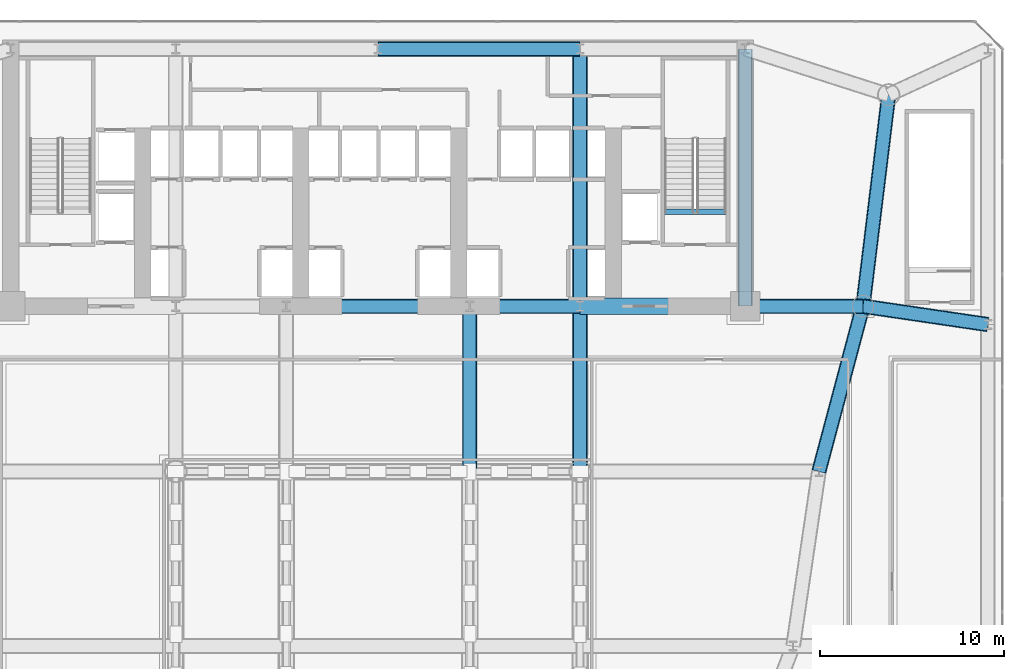
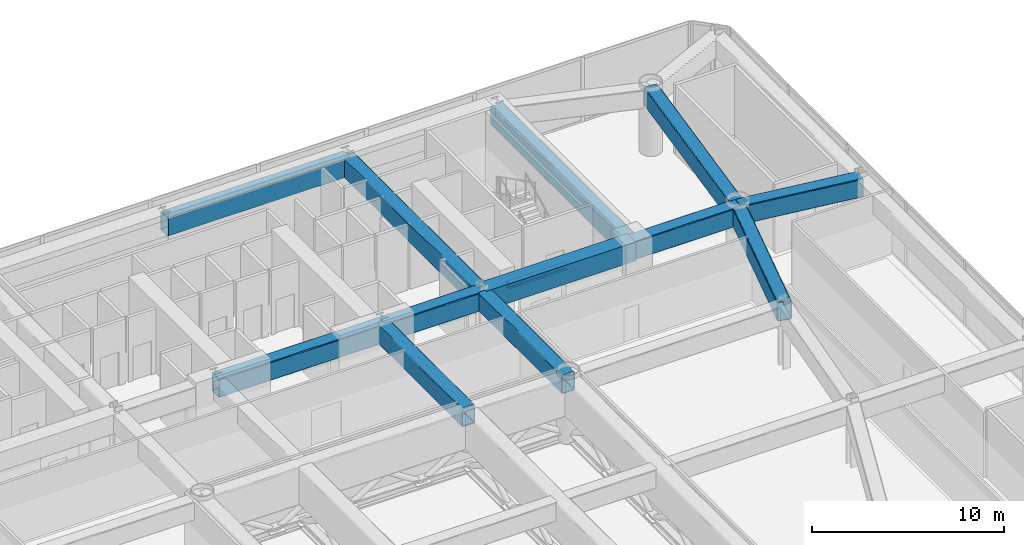
# One storey, part 8 of 21: 13 beams.
"""IFC4 building model written with IfcOpenShell, lengths in metres."""

from ifc_helpers import new_model, si_unit, direction, frame, origin, origin_2d, place, context, subcontext, project, spatial, rectangle, hollow_rectangle, i_section, extrude, source, transform, mapped, material, material_profile, profile_set, type_object, element, save


model = new_model("IFC4")

# Units and contexts
model_context = context("Model", 3, precision=1e-05, world=origin(), true_north=direction((0.0, 1.0)))
body_context = subcontext(model_context, "Body", "Model", "MODEL_VIEW")
ifc_project = project(units=[si_unit("LENGTHUNIT", "METRE"), si_unit("AREAUNIT", "SQUARE_METRE"), si_unit("VOLUMEUNIT", "CUBIC_METRE"), si_unit("PLANEANGLEUNIT", "RADIAN"), si_unit("MASSUNIT", "GRAM", prefix="KILO")], contexts=[model_context])

# Site, building, storey
site_placement = place(None, origin())
site = spatial("IfcSite", under=ifc_project, at=site_placement, CompositionType="ELEMENT")
building_placement = place(site_placement, origin())
building = spatial("IfcBuilding", under=site, at=building_placement, Name="Vaeldorn Concourse Tower", CompositionType="ELEMENT")
storey_placement = place(building_placement, frame((0.0, 0.0, 14.39990234375)))
storey = spatial("IfcBuildingStorey", under=building, at=storey_placement, Name="L03", CompositionType="ELEMENT", Elevation=14.39990234375)

# Beams
ifc_material_1 = material(Name="Concrete C60/75", Category="concrete")
ifc_material_profile_1 = material_profile(ifc_material_1, rectangle(XDim=0.89990234375, YDim=1.199951171875, at=origin_2d()), Name="RC 900x1200")
ifc_profile_set_1 = profile_set([ifc_material_profile_1], Name="Concrete C60/75")
beam_type_1 = type_object("IfcBeamType", Name="BM-CB-RC900", PredefinedType="BEAM", material=ifc_profile_set_1)
shared_shape_1 = source(origin(), body_context, "Body", "SweptSolid", [
    extrude(rectangle(XDim=0.89990234375, YDim=1.199951171875, at=origin_2d()), origin(), (0.0, 0.0, 1.0), 9.0),
])
beam_1_placement = place(storey_placement, frame((45.0, 36.5, 3.52001953125), z_axis=(1.0, 0.0, 0.0), x_axis=(0.0, 1.0, 0.0)))
element("IfcBeam", 1, at=beam_1_placement, inside=storey, type_object=beam_type_1, Name="Core Coupling Beam L03-2", PredefinedType="BEAM", context=body_context, shape_type="MappedRepresentation", body=[
    mapped(shared_shape_1, transform((0.0, 0.0, 0.0), scale=1.0)),
])
ifc_material_2 = material(Name="Steel S355", Category="steel")
ifc_material_profile_2 = material_profile(ifc_material_2, i_section(OverallWidth=0.300048828125, OverallDepth=0.340087890625, WebThickness=0.011962890625, FlangeThickness=0.021484375, FilletRadius=0.027099609375, at=origin_2d()), Name="HEB 340")
ifc_profile_set_2 = profile_set([ifc_material_profile_2], Name="Steel S355")
beam_type_2 = type_object("IfcBeamType", Name="BM-ST-TRIM", PredefinedType="BEAM", material=ifc_profile_set_2)
shared_shape_2 = source(origin(), body_context, "Body", "SweptSolid", [
    extrude(i_section(OverallWidth=0.300048828125, OverallDepth=0.340087890625, WebThickness=0.011962890625, FlangeThickness=0.021484375, FilletRadius=0.027099609375, at=origin_2d()), origin(), (0.0, 0.0, 1.0), 3.590087890625),
])
beam_2_placement = place(storey_placement, frame((49.47998046875, 41.639892578125, -0.449951171875), z_axis=(1.0, 0.0, 0.0), x_axis=(0.0, 1.0, 0.0)))
element("IfcBeam", 2, at=beam_2_placement, inside=storey, type_object=beam_type_2, Name="Stair Landing Trimmer Beam ST-2 L03", PredefinedType="BEAM", context=body_context, shape_type="MappedRepresentation", body=[
    mapped(shared_shape_2, transform((0.0, 0.0, 0.0), scale=1.0)),
])
ifc_material_3 = material(Name="Steel S460", Category="steel")
ifc_material_profile_3 = material_profile(ifc_material_3, hollow_rectangle(XDim=0.800048828125, YDim=1.199951171875, WallThickness=0.044921875, InnerFilletRadius=0.044921875, OuterFilletRadius=0.090087890625, at=origin_2d()), Name="RHS 1200x800x45")
ifc_profile_set_3 = profile_set([ifc_material_profile_3], Name="Steel S460")
beam_type_3 = type_object("IfcBeamType", Name="BM-TG-RHS1200", PredefinedType="BEAM", material=ifc_profile_set_3)
shared_shape_3 = source(origin(), body_context, "Body", "SweptSolid", [
    extrude(hollow_rectangle(XDim=0.800048828125, YDim=1.199951171875, WallThickness=0.044921875, InnerFilletRadius=0.044921875, OuterFilletRadius=0.090087890625, at=origin_2d()), origin(), (0.0, 0.0, 1.0), 6.0),
])
beam_3_placement = place(storey_placement, frame((39.0, 36.5, 3.52001953125), z_axis=(1.0, 0.0, 0.0), x_axis=(0.0, 1.0, 0.0)))
element("IfcBeam", 3, at=beam_3_placement, inside=storey, type_object=beam_type_3, Name="Beam BM-L03-C-FC4-C-FC5", PredefinedType="BEAM", context=body_context, shape_type="MappedRepresentation", body=[
    mapped(shared_shape_3, transform((0.0, 0.0, 0.0), scale=1.0)),
])
shared_shape_4 = source(origin(), body_context, "Body", "SweptSolid", [
    extrude(hollow_rectangle(XDim=0.800048828125, YDim=1.199951171875, WallThickness=0.044921875, InnerFilletRadius=0.044921875, OuterFilletRadius=0.090087890625, at=origin_2d()), origin(), (0.0, 0.0, 1.0), 10.0),
])
beam_4_placement = place(storey_placement, frame((29.0, 36.5, 3.52001953125), z_axis=(1.0, 0.0, 0.0), x_axis=(0.0, 1.0, 0.0)))
element("IfcBeam", 4, at=beam_4_placement, inside=storey, type_object=beam_type_3, Name="Beam BM-L03-C-FC3-C-FC4", PredefinedType="BEAM", context=body_context, shape_type="MappedRepresentation", body=[
    mapped(shared_shape_4, transform((0.0, 0.0, 0.0), scale=1.0)),
])
shared_shape_5 = source(origin(), body_context, "Body", "SweptSolid", [
    extrude(hollow_rectangle(XDim=0.800048828125, YDim=1.199951171875, WallThickness=0.044921875, InnerFilletRadius=0.044921875, OuterFilletRadius=0.090087890625, at=origin_2d()), origin(), (0.0, 0.0, 1.0), 9.0),
])
for number, where, z_axis, x_axis, name in (
    (5, (45.0, 27.5, 3.52001953125), (0.0, 1.0, 0.0), (-1.0, 0.0, 0.0), "Beam BM-L03-TG-02"),
    (6, (39.0, 27.5, 3.52001953125), (0.0, 1.0, 0.0), (-1.0, 0.0, 0.0), "Beam BM-L03-TG-06"),
):
    element("IfcBeam", number, at=place(storey_placement, frame(where, z_axis=z_axis, x_axis=x_axis)), inside=storey, type_object=beam_type_3, Name=name, PredefinedType="BEAM", context=body_context, shape_type="MappedRepresentation", body=[
        mapped(shared_shape_5, transform((0.0, 0.0, 0.0), scale=1.0)),
    ])
shared_shape_6 = source(origin(), body_context, "Body", "SweptSolid", [
    extrude(hollow_rectangle(XDim=0.800048828125, YDim=1.199951171875, WallThickness=0.044921875, InnerFilletRadius=0.044921875, OuterFilletRadius=0.090087890625, at=origin_2d()), origin(), (0.0, 0.0, 1.0), 11.0),
])
beam_5_placement = place(storey_placement, frame((34.0, 50.5, 3.52001953125), z_axis=(1.0, 0.0, 0.0), x_axis=(0.0, 1.0, 0.0)))
element("IfcBeam", 7, at=beam_5_placement, inside=storey, type_object=beam_type_3, Name="Beam BM-L03-C-HC3-C-HC4", PredefinedType="BEAM", context=body_context, shape_type="MappedRepresentation", body=[
    mapped(shared_shape_6, transform((0.0, 0.0, 0.0), scale=1.0)),
])
shared_shape_7 = source(origin(), body_context, "Body", "SweptSolid", [
    extrude(hollow_rectangle(XDim=0.800048828125, YDim=1.199951171875, WallThickness=0.044921875, InnerFilletRadius=0.044921875, OuterFilletRadius=0.090087890625, at=origin_2d()), origin(), (0.0, 0.0, 1.0), 14.0),
])
for number, where, z_axis, x_axis, name in (
    (8, (45.0, 36.5, 3.52001953125), (0.0, 1.0, 0.0), (-1.0, 0.0, 0.0), "Beam BM-L03-C-FC5-C-HC4"),
    (9, (54.0, 36.5, 3.52001953125), (0.0, 1.0, 0.0), (-1.0, 0.0, 0.0), "Beam BM-L03-C-FC6-C-HC5"),
):
    element("IfcBeam", number, at=place(storey_placement, frame(where, z_axis=z_axis, x_axis=x_axis)), inside=storey, type_object=beam_type_3, Name=name, PredefinedType="BEAM", context=body_context, shape_type="MappedRepresentation", body=[
        mapped(shared_shape_7, transform((0.0, 0.0, 0.0), scale=1.0)),
    ])
shared_shape_8 = source(origin(), body_context, "Body", "SweptSolid", [
    extrude(hollow_rectangle(XDim=0.800048828125, YDim=1.199951171875, WallThickness=0.044921875, InnerFilletRadius=0.044921875, OuterFilletRadius=0.090087890625, at=origin_2d()), origin(), (0.0, 0.0, 1.0), 6.873291015625),
])
beam_6_placement = place(storey_placement, frame((60.39990234375, 36.5, 3.52001953125), z_axis=(0.989359285749, -0.145492967882, 0.0), x_axis=(0.145492967882, 0.989359285749, 0.0)))
element("IfcBeam", 10, at=beam_6_placement, inside=storey, type_object=beam_type_3, Name="Beam BM-L03-TG-30", PredefinedType="BEAM", context=body_context, shape_type="MappedRepresentation", body=[
    mapped(shared_shape_8, transform((0.0, 0.0, 0.0), scale=1.0)),
])
shared_shape_9 = source(origin(), body_context, "Body", "SweptSolid", [
    extrude(hollow_rectangle(XDim=0.800048828125, YDim=1.199951171875, WallThickness=0.044921875, InnerFilletRadius=0.044921875, OuterFilletRadius=0.090087890625, at=origin_2d()), origin(), (0.0, 0.0, 1.0), 6.39990234375),
])
beam_7_placement = place(storey_placement, frame((54.0, 36.5, 3.52001953125), z_axis=(1.0, 0.0, 0.0), x_axis=(0.0, 1.0, 0.0)))
element("IfcBeam", 11, at=beam_7_placement, inside=storey, type_object=beam_type_3, Name="Beam BM-L03-TG-29", PredefinedType="BEAM", context=body_context, shape_type="MappedRepresentation", body=[
    mapped(shared_shape_9, transform((0.0, 0.0, 0.0), scale=1.0)),
])
shared_shape_10 = source(origin(), body_context, "Body", "SweptSolid", [
    extrude(hollow_rectangle(XDim=0.800048828125, YDim=1.199951171875, WallThickness=0.044921875, InnerFilletRadius=0.044921875, OuterFilletRadius=0.090087890625, at=origin_2d()), origin(), (0.0, 0.0, 1.0), 11.5849609375),
])
beam_8_placement = place(storey_placement, frame((61.800048828125, 48.0, 3.52001953125), z_axis=(-0.120859382899, -0.992669637677, 0.0), x_axis=(0.992669637677, -0.120859382899, 0.0)))
element("IfcBeam", 12, at=beam_8_placement, inside=storey, type_object=beam_type_3, Name="Beam BM-L03-TG-39", PredefinedType="BEAM", context=body_context, shape_type="MappedRepresentation", body=[
    mapped(shared_shape_10, transform((0.0, 0.0, 0.0), scale=1.0)),
])
shared_shape_11 = source(origin(), body_context, "Body", "SweptSolid", [
    extrude(hollow_rectangle(XDim=0.800048828125, YDim=1.199951171875, WallThickness=0.044921875, InnerFilletRadius=0.044921875, OuterFilletRadius=0.090087890625, at=origin_2d()), origin(), (0.0, 0.0, 1.0), 9.314453125),
])
beam_9_placement = place(storey_placement, frame((60.39990234375, 36.5, 3.52001953125), z_axis=(-0.257652862255, -0.966237549763, 0.0), x_axis=(0.966237549763, -0.257652862255, 0.0)))
element("IfcBeam", 13, at=beam_9_placement, inside=storey, type_object=beam_type_3, Name="Beam BM-L03-TG-40", PredefinedType="BEAM", context=body_context, shape_type="MappedRepresentation", body=[
    mapped(shared_shape_11, transform((0.0, 0.0, 0.0), scale=1.0)),
])

save(model, "model.ifc")
